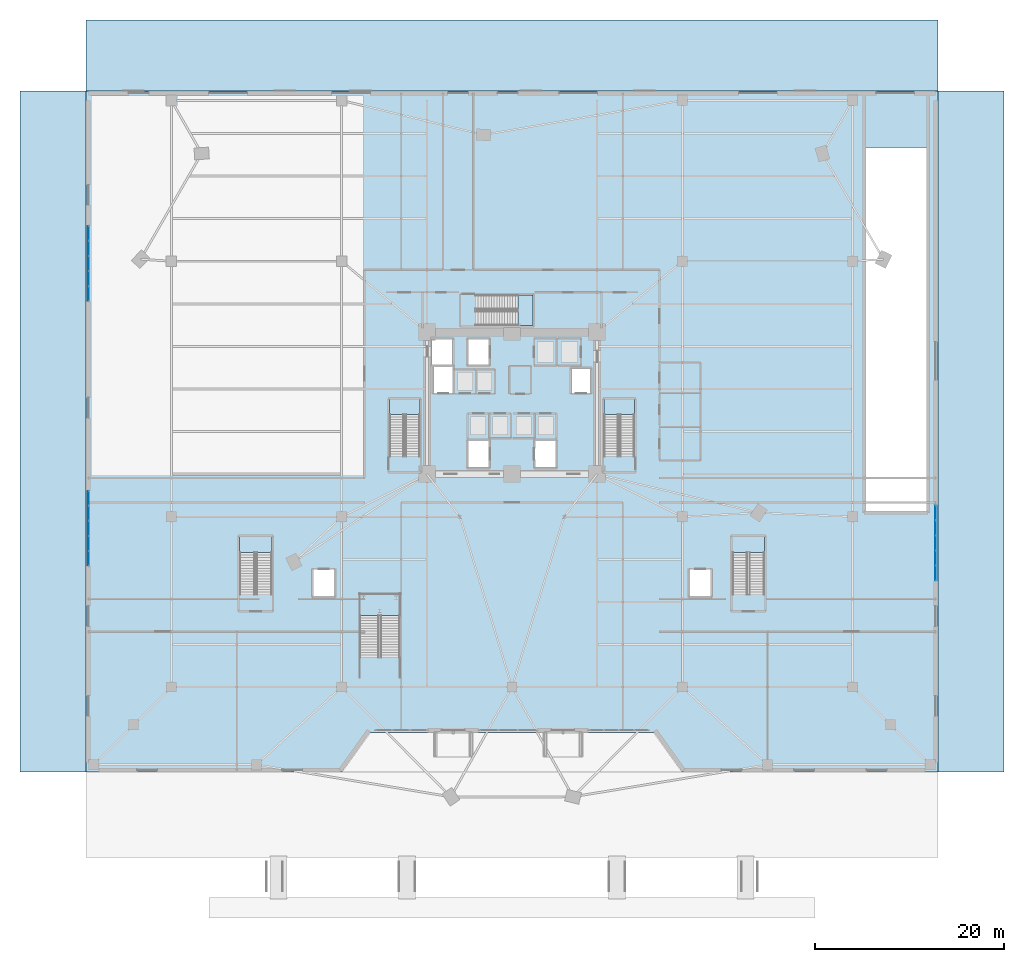
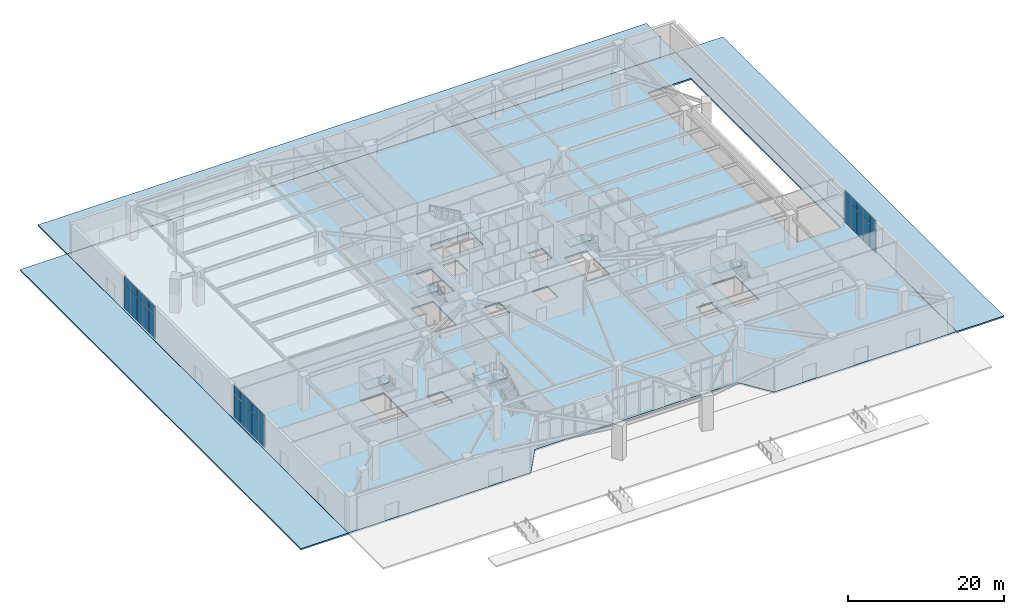
# One storey, part 15 of 30: 30 plates, 10 slabs, 9 elements without a shape of their own.
"""IFC4 building model written with IfcOpenShell, lengths in metres."""

from ifc_helpers import new_model, si_unit, direction, frame, origin, origin_2d, place, context, subcontext, project, spatial, polyline, rectangle, outline, extrude, source, transform, mapped, material, layer, layer_set, type_object, element, aggregate, save


model = new_model("IFC4")

# Units and contexts
model_context = context("Model", 3, precision=1e-05, world=origin(), true_north=direction((0.0, 1.0)))
body_context = subcontext(model_context, "Body", "Model", "MODEL_VIEW")
ifc_project = project(units=[si_unit("LENGTHUNIT", "METRE"), si_unit("AREAUNIT", "SQUARE_METRE"), si_unit("VOLUMEUNIT", "CUBIC_METRE"), si_unit("PLANEANGLEUNIT", "RADIAN"), si_unit("MASSUNIT", "GRAM", prefix="KILO")], contexts=[model_context])

# Site, building, storey
site_placement = place(None, origin())
site = spatial("IfcSite", under=ifc_project, at=site_placement, CompositionType="ELEMENT")
building_placement = place(site_placement, origin())
building = spatial("IfcBuilding", under=site, at=building_placement, Name="Liaohun Quay Tower", CompositionType="ELEMENT")
storey_placement = place(building_placement, origin())
storey = spatial("IfcBuildingStorey", under=building, at=storey_placement, Name="L01", CompositionType="ELEMENT", Elevation=0.0)

# Stair, slab
ifc_material_1 = material(Name="Concrete C45", Category="concrete")
stair_type_1 = type_object("IfcStairType", Name="STR-CORE-CRN", PredefinedType="HALF_TURN_STAIR", material=ifc_material_1)
stair_1_placement = place(storey_placement, origin())
stair_1 = element("IfcStair", 1, at=stair_1_placement, inside=storey, type_object=stair_type_1, Name="L01 Smokeproof Core Exit Stair ST-1", PredefinedType="HALF_TURN_STAIR")
ifc_layer_1 = layer(ifc_material_1, 0.199951171875, Name="Concrete C45", Category="concrete")
ifc_layer_set_1 = layer_set([ifc_layer_1], Name="Concrete C45")
slab_type_1 = type_object("IfcSlabType", Name="SLB-LND-200", PredefinedType="LANDING", material=ifc_layer_set_1)
slab_1_placement = place(storey_placement, frame((0.0, 0.0, 2.5)))
slab_1 = element("IfcSlab", 2, at=slab_1_placement, type_object=slab_type_1, Name="ST-1 landing 1", PredefinedType="LANDING", context=body_context, shape_type="SweptSolid", body=[
    extrude(outline(polyline([(50.280029296875, 52.830078125), (50.280029296875, 54.419921875), (47.0400390625, 54.419921875), (47.0400390625, 52.830078125), (50.280029296875, 52.830078125)])), origin(), (0.0, 0.0, 1.0), 0.199951171875),
])
aggregate(stair_1, [slab_1])

stair_2_placement = place(storey_placement, origin())
stair_2 = element("IfcStair", 3, at=stair_2_placement, inside=storey, type_object=stair_type_1, Name="L01 Smokeproof Core Exit Stair ST-2", PredefinedType="HALF_TURN_STAIR")
slab_2_placement = place(storey_placement, frame((0.0, 0.0, 2.5)))
slab_2 = element("IfcSlab", 4, at=slab_2_placement, type_object=slab_type_1, Name="ST-2 landing 1", PredefinedType="LANDING", context=body_context, shape_type="SweptSolid", body=[
    extrude(outline(polyline([(72.9599609375, 52.830078125), (72.9599609375, 54.419921875), (69.719970703125, 54.419921875), (69.719970703125, 52.830078125), (72.9599609375, 52.830078125)])), origin(), (0.0, 0.0, 1.0), 0.199951171875),
])
aggregate(stair_2, [slab_2])

stair_3_placement = place(storey_placement, origin())
stair_3 = element("IfcStair", 5, at=stair_3_placement, inside=storey, type_object=stair_type_1, Name="L01 Smokeproof Core Exit Stair ST-3", PredefinedType="HALF_TURN_STAIR")
slab_3_placement = place(storey_placement, frame((0.0, 0.0, 2.5)))
slab_3 = element("IfcSlab", 6, at=slab_3_placement, type_object=slab_type_1, Name="ST-3 landing 1", PredefinedType="LANDING", context=body_context, shape_type="SweptSolid", body=[
    extrude(outline(polyline([(60.6298828125, 62.199951171875), (62.219970703125, 62.199951171875), (62.219970703125, 65.43994140625), (60.6298828125, 65.43994140625), (60.6298828125, 62.199951171875)])), origin(), (0.0, 0.0, 1.0), 0.199951171875),
])
aggregate(stair_3, [slab_3])

stair_type_2 = type_object("IfcStairType", Name="STR-POD-EXIT", PredefinedType="TWO_STRAIGHT_RUN_STAIR", material=ifc_material_1)
stair_4_placement = place(storey_placement, origin())
stair_4 = element("IfcStair", 7, at=stair_4_placement, inside=storey, type_object=stair_type_2, Name="L01 Podium Smokeproof Exit Stair ST-P1", PredefinedType="TWO_STRAIGHT_RUN_STAIR")
slab_4_placement = place(storey_placement, frame((0.0, 0.0, 2.5)))
slab_4 = element("IfcSlab", 8, at=slab_4_placement, type_object=slab_type_1, Name="ST-P1 landing 1", PredefinedType="LANDING", context=body_context, shape_type="SweptSolid", body=[
    extrude(outline(polyline([(34.639892578125, 38.22998046875), (34.639892578125, 39.89990234375), (31.199951171875, 39.89990234375), (31.199951171875, 38.22998046875), (34.639892578125, 38.22998046875)])), origin(), (0.0, 0.0, 1.0), 0.199951171875),
])
aggregate(stair_4, [slab_4])

stair_5_placement = place(storey_placement, origin())
stair_5 = element("IfcStair", 9, at=stair_5_placement, inside=storey, type_object=stair_type_2, Name="L01 Podium Smokeproof Exit Stair ST-P2", PredefinedType="TWO_STRAIGHT_RUN_STAIR")
slab_5_placement = place(storey_placement, frame((0.0, 0.0, 2.5)))
slab_5 = element("IfcSlab", 10, at=slab_5_placement, type_object=slab_type_1, Name="ST-P2 landing 1", PredefinedType="LANDING", context=body_context, shape_type="SweptSolid", body=[
    extrude(outline(polyline([(86.699951171875, 38.22998046875), (86.699951171875, 39.89990234375), (83.260009765625, 39.89990234375), (83.260009765625, 38.22998046875), (86.699951171875, 38.22998046875)])), origin(), (0.0, 0.0, 1.0), 0.199951171875),
])
aggregate(stair_5, [slab_5])

ifc_material_2 = material(Name="Precast concrete C50", Category="concrete")
stair_type_3 = type_object("IfcStairType", Name="STR-MON-ATR", PredefinedType="STRAIGHT_RUN_STAIR", material=ifc_material_2)
stair_6_placement = place(storey_placement, origin())
stair_6 = element("IfcStair", 11, at=stair_6_placement, inside=storey, type_object=stair_type_3, Name="L01 Monumental Atrium Feature Stair ST-A", PredefinedType="STRAIGHT_RUN_STAIR")
slab_6_placement = place(storey_placement, frame((0.0, 0.0, 2.5)))
slab_6 = element("IfcSlab", 12, at=slab_6_placement, type_object=slab_type_1, Name="ST-A landing 1", PredefinedType="LANDING", context=body_context, shape_type="SweptSolid", body=[
    extrude(outline(polyline([(48.199951171875, 31.580078125), (48.199951171875, 33.89990234375), (43.860107421875, 33.89990234375), (43.860107421875, 31.580078125), (48.199951171875, 31.580078125)])), origin(), (0.0, 0.0, 1.0), 0.199951171875),
])
aggregate(stair_6, [slab_6])

# Slabs
ifc_material_3 = material(Name="Granite stone slab on Concrete C40", Category="masonry")
ifc_layer_2 = layer(ifc_material_3, 0.219970703125, Name="Granite stone slab on Concrete C40", Category="masonry")
ifc_layer_set_2 = layer_set([ifc_layer_2], Name="Granite stone slab on Concrete C40")
slab_type_2 = type_object("IfcSlabType", Name="SLB-PAV-220", PredefinedType="USERDEFINED", material=ifc_layer_set_2)
slab_7_placement = place(storey_placement, frame((0.0, 0.0, -0.219970703125)))
element("IfcSlab", 13, at=slab_7_placement, inside=storey, type_object=slab_type_2, Name="West Pedestrian Arrival Walkway", ObjectType="PAVING", PredefinedType="USERDEFINED", context=body_context, shape_type="SweptSolid", body=[
    extrude(outline(polyline([(8.0, 15.0), (14.97998046875, 15.0), (14.97998046875, 87.0), (8.0, 87.0), (8.0, 15.0)])), origin(), (0.0, 0.0, 1.0), 0.219970703125),
])
slab_8_placement = place(storey_placement, frame((0.0, 0.0, -0.219970703125)))
element("IfcSlab", 14, at=slab_8_placement, inside=storey, type_object=slab_type_2, Name="East Promenade Drop-Off Apron", ObjectType="PAVING", PredefinedType="USERDEFINED", context=body_context, shape_type="SweptSolid", body=[
    extrude(outline(polyline([(105.02001953125, 15.0), (112.0, 15.0), (112.0, 87.0), (105.02001953125, 87.0), (105.02001953125, 15.0)])), origin(), (0.0, 0.0, 1.0), 0.219970703125),
])
slab_9_placement = place(storey_placement, frame((0.0, 0.0, -0.219970703125)))
element("IfcSlab", 15, at=slab_9_placement, inside=storey, type_object=slab_type_2, Name="North Service Driveway Apron", ObjectType="PAVING", PredefinedType="USERDEFINED", context=body_context, shape_type="SweptSolid", body=[
    extrude(outline(polyline([(15.0, 87.02001953125), (105.0, 87.02001953125), (105.0, 94.5), (15.0, 94.5), (15.0, 87.02001953125)])), origin(), (0.0, 0.0, 1.0), 0.219970703125),
])
ifc_layer_3 = layer(ifc_material_1, 0.25, Name="Concrete C45", Category="concrete")
ifc_layer_set_3 = layer_set([ifc_layer_3], Name="Concrete C45")
slab_type_3 = type_object("IfcSlabType", Name="SLB-POD-250", PredefinedType="FLOOR", material=ifc_layer_set_3)
slab_10_placement = place(storey_placement, frame((0.0, 0.0, -0.25)))
element("IfcSlab", 16, at=slab_10_placement, inside=storey, type_object=slab_type_3, Name="L01 Structural Floor Slab", PredefinedType="FLOOR", context=body_context, shape_type="SweptSolid", body=[
    extrude(outline(polyline([(15.0, 15.0), (42.0, 15.0), (45.0, 19.199951171875), (75.0, 19.199951171875), (78.0, 15.0), (105.0, 15.0), (105.0, 87.0), (15.0, 87.0), (15.0, 15.0)]), holes=[polyline([(41.2099609375, 36.409912109375), (38.989990234375, 36.409912109375), (38.989990234375, 33.590087890625), (41.2099609375, 33.590087890625), (41.2099609375, 36.409912109375)]), polyline([(34.639892578125, 39.89990234375), (31.199951171875, 39.89990234375), (31.199951171875, 33.81005859375), (34.639892578125, 33.81005859375), (34.639892578125, 39.89990234375)]), polyline([(57.56005859375, 47.2099609375), (57.56005859375, 50.030029296875), (55.340087890625, 50.030029296875), (55.340087890625, 47.2099609375), (57.56005859375, 47.2099609375)]), polyline([(50.280029296875, 54.419921875), (47.0400390625, 54.419921875), (47.0400390625, 48.409912109375), (50.280029296875, 48.409912109375), (50.280029296875, 54.419921875)]), polyline([(53.760009765625, 55.090087890625), (53.760009765625, 57.909912109375), (51.7099609375, 57.909912109375), (51.7099609375, 55.090087890625), (53.760009765625, 55.090087890625)]), polyline([(53.7099609375, 58.0400390625), (53.7099609375, 60.7900390625), (51.489990234375, 60.7900390625), (51.489990234375, 58.0400390625), (53.7099609375, 58.0400390625)]), polyline([(57.56005859375, 58.0400390625), (57.56005859375, 60.7900390625), (55.340087890625, 60.7900390625), (55.340087890625, 58.0400390625), (57.56005859375, 58.0400390625)]), polyline([(81.010009765625, 36.409912109375), (78.7900390625, 36.409912109375), (78.7900390625, 33.590087890625), (81.010009765625, 33.590087890625), (81.010009765625, 36.409912109375)]), polyline([(86.699951171875, 39.89990234375), (83.260009765625, 39.89990234375), (83.260009765625, 33.81005859375), (86.699951171875, 33.81005859375), (86.699951171875, 39.89990234375)]), polyline([(64.659912109375, 47.2099609375), (64.659912109375, 50.030029296875), (62.43994140625, 50.030029296875), (62.43994140625, 47.2099609375), (64.659912109375, 47.2099609375)]), polyline([(72.9599609375, 54.419921875), (69.719970703125, 54.419921875), (69.719970703125, 48.409912109375), (72.9599609375, 48.409912109375), (72.9599609375, 54.419921875)]), polyline([(68.2900390625, 55.090087890625), (68.2900390625, 57.659912109375), (66.2900390625, 57.659912109375), (66.2900390625, 55.090087890625), (68.2900390625, 55.090087890625)]), polyline([(103.800048828125, 42.60009765625), (103.800048828125, 81.0), (97.39990234375, 81.0), (97.39990234375, 42.60009765625), (103.800048828125, 42.60009765625)]), polyline([(62.219970703125, 62.199951171875), (62.219970703125, 65.43994140625), (56.2099609375, 65.43994140625), (56.2099609375, 62.199951171875), (62.219970703125, 62.199951171875)])]), origin(), (0.0, 0.0, 1.0), 0.25),
])

# Curtain wall, plates
ifc_material_4 = material(Name="Thermally broken podium arcade storefront curtain wall")
ifc_layer_4 = layer(ifc_material_4, 0.179931640625, Name="Thermally broken podium arcade storefront curtain wall")
ifc_layer_set_4 = layer_set([ifc_layer_4], Name="Thermally broken podium arcade storefront curtain wall")
curtain_wall_type = type_object("IfcCurtainWallType", Name="CW-POD-RET", PredefinedType="NOTDEFINED", material=ifc_layer_set_4)
curtain_wall_1_placement = place(storey_placement, origin())
curtain_wall_1 = element("IfcCurtainWall", 17, at=curtain_wall_1_placement, inside=storey, type_object=curtain_wall_type, Name="L01 Podium Arcade Storefront CW2-E1", PredefinedType="NOTDEFINED")
ifc_material_5 = material(Name="Triple Low-E high-selectivity glass unit", Category="glass")
ifc_layer_5 = layer(ifc_material_5, 0.048095703125, Name="Triple Low-E high-selectivity glass unit", Category="glass")
ifc_layer_set_5 = layer_set([ifc_layer_5], Name="Triple Low-E high-selectivity glass unit")
plate_type = type_object("IfcPlateType", Name="PLT-CWP-GLZ2", PredefinedType="CURTAIN_PANEL", material=ifc_layer_set_5)
shared_shape_1 = source(origin(), body_context, "Body", "SweptSolid", [
    extrude(rectangle(XDim=1.47998046875, YDim=0.048095703125, at=origin_2d()), origin(), (0.0, 0.0, 1.0), 3.595458984375),
])
plate_1_placement = place(storey_placement, frame((104.77001953125, 36.050048828125, 0.0751953125), z_axis=(0.0, 0.0, 1.0), x_axis=(0.0, 1.0, 0.0)))
plate_1 = element("IfcPlate", 18, at=plate_1_placement, type_object=plate_type, Name="CW2 panel 1.1", PredefinedType="CURTAIN_PANEL", context=body_context, shape_type="MappedRepresentation", body=[
    mapped(shared_shape_1, transform((0.0, 0.0, 0.0), x_axis=(1.0, 0.0, 0.0), y_axis=(0.0, 1.0, 0.0), z_axis=(0.0, 0.0, 1.0), scale=1.0)),
])
plate_2_placement = place(storey_placement, frame((104.77001953125, 42.409912109375, 0.0751953125), z_axis=(0.0, 0.0, 1.0), x_axis=(0.0, 1.0, 0.0)))
plate_2 = element("IfcPlate", 19, at=plate_2_placement, type_object=plate_type, Name="CW2 panel 5.1", PredefinedType="CURTAIN_PANEL", context=body_context, shape_type="MappedRepresentation", body=[
    mapped(shared_shape_1, transform((0.0, 0.0, 0.0), x_axis=(1.0, 0.0, 0.0), y_axis=(0.0, 1.0, 0.0), z_axis=(0.0, 0.0, 1.0), scale=1.0)),
])

curtain_wall_2_placement = place(storey_placement, origin())
curtain_wall_2 = element("IfcCurtainWall", 20, at=curtain_wall_2_placement, inside=storey, type_object=curtain_wall_type, Name="L01 Podium Arcade Storefront CW2-W1", PredefinedType="NOTDEFINED")
plate_3_placement = place(storey_placement, frame((15.22998046875, 71.949951171875, 0.0751953125), z_axis=(0.0, 0.0, 1.0), x_axis=(0.0, -1.0, 0.0)))
plate_3 = element("IfcPlate", 21, at=plate_3_placement, type_object=plate_type, Name="CW2 panel 1.1", PredefinedType="CURTAIN_PANEL", context=body_context, shape_type="MappedRepresentation", body=[
    mapped(shared_shape_1, transform((0.0, 0.0, 0.0), x_axis=(1.0, 0.0, 0.0), y_axis=(0.0, 1.0, 0.0), z_axis=(0.0, 0.0, 1.0), scale=1.0)),
])
plate_4_placement = place(storey_placement, frame((15.22998046875, 65.590087890625, 0.0751953125), z_axis=(0.0, 0.0, 1.0), x_axis=(0.0, -1.0, 0.0)))
plate_4 = element("IfcPlate", 22, at=plate_4_placement, type_object=plate_type, Name="CW2 panel 5.1", PredefinedType="CURTAIN_PANEL", context=body_context, shape_type="MappedRepresentation", body=[
    mapped(shared_shape_1, transform((0.0, 0.0, 0.0), x_axis=(1.0, 0.0, 0.0), y_axis=(0.0, 1.0, 0.0), z_axis=(0.0, 0.0, 1.0), scale=1.0)),
])

curtain_wall_3_placement = place(storey_placement, origin())
curtain_wall_3 = element("IfcCurtainWall", 23, at=curtain_wall_3_placement, inside=storey, type_object=curtain_wall_type, Name="L01 Podium Arcade Storefront CW2-W2", PredefinedType="NOTDEFINED")
plate_5_placement = place(storey_placement, frame((15.22998046875, 43.949951171875, 0.0751953125), z_axis=(0.0, 0.0, 1.0), x_axis=(0.0, -1.0, 0.0)))
plate_5 = element("IfcPlate", 24, at=plate_5_placement, type_object=plate_type, Name="CW2 panel 1.1", PredefinedType="CURTAIN_PANEL", context=body_context, shape_type="MappedRepresentation", body=[
    mapped(shared_shape_1, transform((0.0, 0.0, 0.0), x_axis=(1.0, 0.0, 0.0), y_axis=(0.0, 1.0, 0.0), z_axis=(0.0, 0.0, 1.0), scale=1.0)),
])
plate_6_placement = place(storey_placement, frame((15.22998046875, 37.590087890625, 0.0751953125), z_axis=(0.0, 0.0, 1.0), x_axis=(0.0, -1.0, 0.0)))
plate_6 = element("IfcPlate", 25, at=plate_6_placement, type_object=plate_type, Name="CW2 panel 5.1", PredefinedType="CURTAIN_PANEL", context=body_context, shape_type="MappedRepresentation", body=[
    mapped(shared_shape_1, transform((0.0, 0.0, 0.0), x_axis=(1.0, 0.0, 0.0), y_axis=(0.0, 1.0, 0.0), z_axis=(0.0, 0.0, 1.0), scale=1.0)),
])

# Plate
shared_shape_2 = source(origin(), body_context, "Body", "SweptSolid", [
    extrude(rectangle(XDim=1.47998046875, YDim=0.048095703125, at=origin_2d()), origin(), (0.0, 0.0, 1.0), 1.32958984375),
])
plate_7_placement = place(storey_placement, frame((104.77001953125, 36.050048828125, 3.745361328125), z_axis=(0.0, 0.0, 1.0), x_axis=(0.0, 1.0, 0.0)))
plate_7 = element("IfcPlate", 26, at=plate_7_placement, type_object=plate_type, Name="CW2 panel 1.2", PredefinedType="CURTAIN_PANEL", context=body_context, shape_type="MappedRepresentation", body=[
    mapped(shared_shape_2, transform((0.0, 0.0, 0.0), x_axis=(1.0, 0.0, 0.0), y_axis=(0.0, 1.0, 0.0), z_axis=(0.0, 0.0, 1.0), scale=1.0)),
])

plate_8_placement = place(storey_placement, frame((104.77001953125, 42.409912109375, 3.745361328125), z_axis=(0.0, 0.0, 1.0), x_axis=(0.0, 1.0, 0.0)))
plate_8 = element("IfcPlate", 27, at=plate_8_placement, type_object=plate_type, Name="CW2 panel 5.2", PredefinedType="CURTAIN_PANEL", context=body_context, shape_type="MappedRepresentation", body=[
    mapped(shared_shape_2, transform((0.0, 0.0, 0.0), x_axis=(1.0, 0.0, 0.0), y_axis=(0.0, 1.0, 0.0), z_axis=(0.0, 0.0, 1.0), scale=1.0)),
])

plate_9_placement = place(storey_placement, frame((15.22998046875, 71.949951171875, 3.745361328125), z_axis=(0.0, 0.0, 1.0), x_axis=(0.0, -1.0, 0.0)))
plate_9 = element("IfcPlate", 28, at=plate_9_placement, type_object=plate_type, Name="CW2 panel 1.2", PredefinedType="CURTAIN_PANEL", context=body_context, shape_type="MappedRepresentation", body=[
    mapped(shared_shape_2, transform((0.0, 0.0, 0.0), x_axis=(1.0, 0.0, 0.0), y_axis=(0.0, 1.0, 0.0), z_axis=(0.0, 0.0, 1.0), scale=1.0)),
])

plate_10_placement = place(storey_placement, frame((15.22998046875, 65.590087890625, 3.745361328125), z_axis=(0.0, 0.0, 1.0), x_axis=(0.0, -1.0, 0.0)))
plate_10 = element("IfcPlate", 29, at=plate_10_placement, type_object=plate_type, Name="CW2 panel 5.2", PredefinedType="CURTAIN_PANEL", context=body_context, shape_type="MappedRepresentation", body=[
    mapped(shared_shape_2, transform((0.0, 0.0, 0.0), x_axis=(1.0, 0.0, 0.0), y_axis=(0.0, 1.0, 0.0), z_axis=(0.0, 0.0, 1.0), scale=1.0)),
])

plate_11_placement = place(storey_placement, frame((15.22998046875, 43.949951171875, 3.745361328125), z_axis=(0.0, 0.0, 1.0), x_axis=(0.0, -1.0, 0.0)))
plate_11 = element("IfcPlate", 30, at=plate_11_placement, type_object=plate_type, Name="CW2 panel 1.2", PredefinedType="CURTAIN_PANEL", context=body_context, shape_type="MappedRepresentation", body=[
    mapped(shared_shape_2, transform((0.0, 0.0, 0.0), x_axis=(1.0, 0.0, 0.0), y_axis=(0.0, 1.0, 0.0), z_axis=(0.0, 0.0, 1.0), scale=1.0)),
])

plate_12_placement = place(storey_placement, frame((15.22998046875, 37.590087890625, 3.745361328125), z_axis=(0.0, 0.0, 1.0), x_axis=(0.0, -1.0, 0.0)))
plate_12 = element("IfcPlate", 31, at=plate_12_placement, type_object=plate_type, Name="CW2 panel 5.2", PredefinedType="CURTAIN_PANEL", context=body_context, shape_type="MappedRepresentation", body=[
    mapped(shared_shape_2, transform((0.0, 0.0, 0.0), x_axis=(1.0, 0.0, 0.0), y_axis=(0.0, 1.0, 0.0), z_axis=(0.0, 0.0, 1.0), scale=1.0)),
])

shared_shape_3 = source(origin(), body_context, "Body", "SweptSolid", [
    extrude(rectangle(XDim=1.52001953125, YDim=0.048095703125, at=origin_2d()), origin(), (0.0, 0.0, 1.0), 3.595458984375),
])
plate_13_placement = place(storey_placement, frame((104.77001953125, 37.6298828125, 0.0751953125), z_axis=(0.0, 0.0, 1.0), x_axis=(0.0, 1.0, 0.0)))
plate_13 = element("IfcPlate", 32, at=plate_13_placement, type_object=plate_type, Name="CW2 panel 2.1", PredefinedType="CURTAIN_PANEL", context=body_context, shape_type="MappedRepresentation", body=[
    mapped(shared_shape_3, transform((0.0, 0.0, 0.0), x_axis=(1.0, 0.0, 0.0), y_axis=(0.0, 1.0, 0.0), z_axis=(0.0, 0.0, 1.0), scale=1.0)),
])

plate_14_placement = place(storey_placement, frame((104.77001953125, 39.22998046875, 0.0751953125), z_axis=(0.0, 0.0, 1.0), x_axis=(0.0, 1.0, 0.0)))
plate_14 = element("IfcPlate", 33, at=plate_14_placement, type_object=plate_type, Name="CW2 panel 3.1", PredefinedType="CURTAIN_PANEL", context=body_context, shape_type="MappedRepresentation", body=[
    mapped(shared_shape_3, transform((0.0, 0.0, 0.0), x_axis=(1.0, 0.0, 0.0), y_axis=(0.0, 1.0, 0.0), z_axis=(0.0, 0.0, 1.0), scale=1.0)),
])

plate_15_placement = place(storey_placement, frame((104.77001953125, 40.830078125, 0.0751953125), z_axis=(0.0, 0.0, 1.0), x_axis=(0.0, 1.0, 0.0)))
plate_15 = element("IfcPlate", 34, at=plate_15_placement, type_object=plate_type, Name="CW2 panel 4.1", PredefinedType="CURTAIN_PANEL", context=body_context, shape_type="MappedRepresentation", body=[
    mapped(shared_shape_3, transform((0.0, 0.0, 0.0), x_axis=(1.0, 0.0, 0.0), y_axis=(0.0, 1.0, 0.0), z_axis=(0.0, 0.0, 1.0), scale=1.0)),
])

plate_16_placement = place(storey_placement, frame((15.22998046875, 70.3701171875, 0.0751953125), z_axis=(0.0, 0.0, 1.0), x_axis=(0.0, -1.0, 0.0)))
plate_16 = element("IfcPlate", 35, at=plate_16_placement, type_object=plate_type, Name="CW2 panel 2.1", PredefinedType="CURTAIN_PANEL", context=body_context, shape_type="MappedRepresentation", body=[
    mapped(shared_shape_3, transform((0.0, 0.0, 0.0), x_axis=(1.0, 0.0, 0.0), y_axis=(0.0, 1.0, 0.0), z_axis=(0.0, 0.0, 1.0), scale=1.0)),
])

plate_17_placement = place(storey_placement, frame((15.22998046875, 68.77001953125, 0.0751953125), z_axis=(0.0, 0.0, 1.0), x_axis=(0.0, -1.0, 0.0)))
plate_17 = element("IfcPlate", 36, at=plate_17_placement, type_object=plate_type, Name="CW2 panel 3.1", PredefinedType="CURTAIN_PANEL", context=body_context, shape_type="MappedRepresentation", body=[
    mapped(shared_shape_3, transform((0.0, 0.0, 0.0), x_axis=(1.0, 0.0, 0.0), y_axis=(0.0, 1.0, 0.0), z_axis=(0.0, 0.0, 1.0), scale=1.0)),
])

plate_18_placement = place(storey_placement, frame((15.22998046875, 67.169921875, 0.0751953125), z_axis=(0.0, 0.0, 1.0), x_axis=(0.0, -1.0, 0.0)))
plate_18 = element("IfcPlate", 37, at=plate_18_placement, type_object=plate_type, Name="CW2 panel 4.1", PredefinedType="CURTAIN_PANEL", context=body_context, shape_type="MappedRepresentation", body=[
    mapped(shared_shape_3, transform((0.0, 0.0, 0.0), x_axis=(1.0, 0.0, 0.0), y_axis=(0.0, 1.0, 0.0), z_axis=(0.0, 0.0, 1.0), scale=1.0)),
])

plate_19_placement = place(storey_placement, frame((15.22998046875, 42.3701171875, 0.0751953125), z_axis=(0.0, 0.0, 1.0), x_axis=(0.0, -1.0, 0.0)))
plate_19 = element("IfcPlate", 38, at=plate_19_placement, type_object=plate_type, Name="CW2 panel 2.1", PredefinedType="CURTAIN_PANEL", context=body_context, shape_type="MappedRepresentation", body=[
    mapped(shared_shape_3, transform((0.0, 0.0, 0.0), x_axis=(1.0, 0.0, 0.0), y_axis=(0.0, 1.0, 0.0), z_axis=(0.0, 0.0, 1.0), scale=1.0)),
])

plate_20_placement = place(storey_placement, frame((15.22998046875, 40.77001953125, 0.0751953125), z_axis=(0.0, 0.0, 1.0), x_axis=(0.0, -1.0, 0.0)))
plate_20 = element("IfcPlate", 39, at=plate_20_placement, type_object=plate_type, Name="CW2 panel 3.1", PredefinedType="CURTAIN_PANEL", context=body_context, shape_type="MappedRepresentation", body=[
    mapped(shared_shape_3, transform((0.0, 0.0, 0.0), x_axis=(1.0, 0.0, 0.0), y_axis=(0.0, 1.0, 0.0), z_axis=(0.0, 0.0, 1.0), scale=1.0)),
])

plate_21_placement = place(storey_placement, frame((15.22998046875, 39.169921875, 0.0751953125), z_axis=(0.0, 0.0, 1.0), x_axis=(0.0, -1.0, 0.0)))
plate_21 = element("IfcPlate", 40, at=plate_21_placement, type_object=plate_type, Name="CW2 panel 4.1", PredefinedType="CURTAIN_PANEL", context=body_context, shape_type="MappedRepresentation", body=[
    mapped(shared_shape_3, transform((0.0, 0.0, 0.0), x_axis=(1.0, 0.0, 0.0), y_axis=(0.0, 1.0, 0.0), z_axis=(0.0, 0.0, 1.0), scale=1.0)),
])

shared_shape_4 = source(origin(), body_context, "Body", "SweptSolid", [
    extrude(rectangle(XDim=1.52001953125, YDim=0.048095703125, at=origin_2d()), origin(), (0.0, 0.0, 1.0), 1.32958984375),
])
plate_22_placement = place(storey_placement, frame((104.77001953125, 37.6298828125, 3.745361328125), z_axis=(0.0, 0.0, 1.0), x_axis=(0.0, 1.0, 0.0)))
plate_22 = element("IfcPlate", 41, at=plate_22_placement, type_object=plate_type, Name="CW2 panel 2.2", PredefinedType="CURTAIN_PANEL", context=body_context, shape_type="MappedRepresentation", body=[
    mapped(shared_shape_4, transform((0.0, 0.0, 0.0), x_axis=(1.0, 0.0, 0.0), y_axis=(0.0, 1.0, 0.0), z_axis=(0.0, 0.0, 1.0), scale=1.0)),
])

plate_23_placement = place(storey_placement, frame((104.77001953125, 39.22998046875, 3.745361328125), z_axis=(0.0, 0.0, 1.0), x_axis=(0.0, 1.0, 0.0)))
plate_23 = element("IfcPlate", 42, at=plate_23_placement, type_object=plate_type, Name="CW2 panel 3.2", PredefinedType="CURTAIN_PANEL", context=body_context, shape_type="MappedRepresentation", body=[
    mapped(shared_shape_4, transform((0.0, 0.0, 0.0), x_axis=(1.0, 0.0, 0.0), y_axis=(0.0, 1.0, 0.0), z_axis=(0.0, 0.0, 1.0), scale=1.0)),
])

plate_24_placement = place(storey_placement, frame((104.77001953125, 40.830078125, 3.745361328125), z_axis=(0.0, 0.0, 1.0), x_axis=(0.0, 1.0, 0.0)))
plate_24 = element("IfcPlate", 43, at=plate_24_placement, type_object=plate_type, Name="CW2 panel 4.2", PredefinedType="CURTAIN_PANEL", context=body_context, shape_type="MappedRepresentation", body=[
    mapped(shared_shape_4, transform((0.0, 0.0, 0.0), x_axis=(1.0, 0.0, 0.0), y_axis=(0.0, 1.0, 0.0), z_axis=(0.0, 0.0, 1.0), scale=1.0)),
])

aggregate(curtain_wall_1, [plate_1, plate_7, plate_13, plate_22, plate_14, plate_23, plate_15, plate_24, plate_2, plate_8])

plate_25_placement = place(storey_placement, frame((15.22998046875, 70.3701171875, 3.745361328125), z_axis=(0.0, 0.0, 1.0), x_axis=(0.0, -1.0, 0.0)))
plate_25 = element("IfcPlate", 44, at=plate_25_placement, type_object=plate_type, Name="CW2 panel 2.2", PredefinedType="CURTAIN_PANEL", context=body_context, shape_type="MappedRepresentation", body=[
    mapped(shared_shape_4, transform((0.0, 0.0, 0.0), x_axis=(1.0, 0.0, 0.0), y_axis=(0.0, 1.0, 0.0), z_axis=(0.0, 0.0, 1.0), scale=1.0)),
])

plate_26_placement = place(storey_placement, frame((15.22998046875, 68.77001953125, 3.745361328125), z_axis=(0.0, 0.0, 1.0), x_axis=(0.0, -1.0, 0.0)))
plate_26 = element("IfcPlate", 45, at=plate_26_placement, type_object=plate_type, Name="CW2 panel 3.2", PredefinedType="CURTAIN_PANEL", context=body_context, shape_type="MappedRepresentation", body=[
    mapped(shared_shape_4, transform((0.0, 0.0, 0.0), x_axis=(1.0, 0.0, 0.0), y_axis=(0.0, 1.0, 0.0), z_axis=(0.0, 0.0, 1.0), scale=1.0)),
])

plate_27_placement = place(storey_placement, frame((15.22998046875, 67.169921875, 3.745361328125), z_axis=(0.0, 0.0, 1.0), x_axis=(0.0, -1.0, 0.0)))
plate_27 = element("IfcPlate", 46, at=plate_27_placement, type_object=plate_type, Name="CW2 panel 4.2", PredefinedType="CURTAIN_PANEL", context=body_context, shape_type="MappedRepresentation", body=[
    mapped(shared_shape_4, transform((0.0, 0.0, 0.0), x_axis=(1.0, 0.0, 0.0), y_axis=(0.0, 1.0, 0.0), z_axis=(0.0, 0.0, 1.0), scale=1.0)),
])

aggregate(curtain_wall_2, [plate_3, plate_9, plate_16, plate_25, plate_17, plate_26, plate_18, plate_27, plate_4, plate_10])

plate_28_placement = place(storey_placement, frame((15.22998046875, 42.3701171875, 3.745361328125), z_axis=(0.0, 0.0, 1.0), x_axis=(0.0, -1.0, 0.0)))
plate_28 = element("IfcPlate", 47, at=plate_28_placement, type_object=plate_type, Name="CW2 panel 2.2", PredefinedType="CURTAIN_PANEL", context=body_context, shape_type="MappedRepresentation", body=[
    mapped(shared_shape_4, transform((0.0, 0.0, 0.0), x_axis=(1.0, 0.0, 0.0), y_axis=(0.0, 1.0, 0.0), z_axis=(0.0, 0.0, 1.0), scale=1.0)),
])

plate_29_placement = place(storey_placement, frame((15.22998046875, 40.77001953125, 3.745361328125), z_axis=(0.0, 0.0, 1.0), x_axis=(0.0, -1.0, 0.0)))
plate_29 = element("IfcPlate", 48, at=plate_29_placement, type_object=plate_type, Name="CW2 panel 3.2", PredefinedType="CURTAIN_PANEL", context=body_context, shape_type="MappedRepresentation", body=[
    mapped(shared_shape_4, transform((0.0, 0.0, 0.0), x_axis=(1.0, 0.0, 0.0), y_axis=(0.0, 1.0, 0.0), z_axis=(0.0, 0.0, 1.0), scale=1.0)),
])

plate_30_placement = place(storey_placement, frame((15.22998046875, 39.169921875, 3.745361328125), z_axis=(0.0, 0.0, 1.0), x_axis=(0.0, -1.0, 0.0)))
plate_30 = element("IfcPlate", 49, at=plate_30_placement, type_object=plate_type, Name="CW2 panel 4.2", PredefinedType="CURTAIN_PANEL", context=body_context, shape_type="MappedRepresentation", body=[
    mapped(shared_shape_4, transform((0.0, 0.0, 0.0), x_axis=(1.0, 0.0, 0.0), y_axis=(0.0, 1.0, 0.0), z_axis=(0.0, 0.0, 1.0), scale=1.0)),
])

aggregate(curtain_wall_3, [plate_5, plate_11, plate_19, plate_28, plate_20, plate_29, plate_21, plate_30, plate_6, plate_12])

save(model, "model.ifc")
